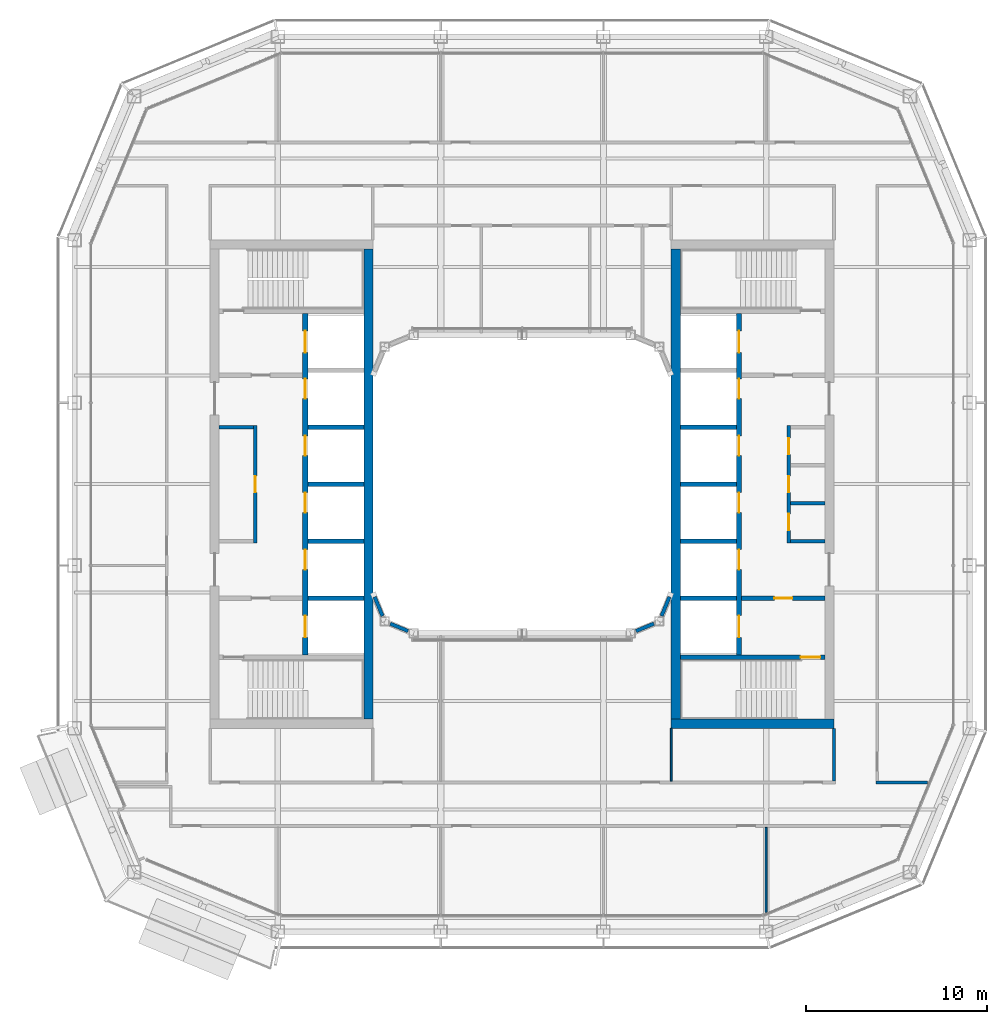
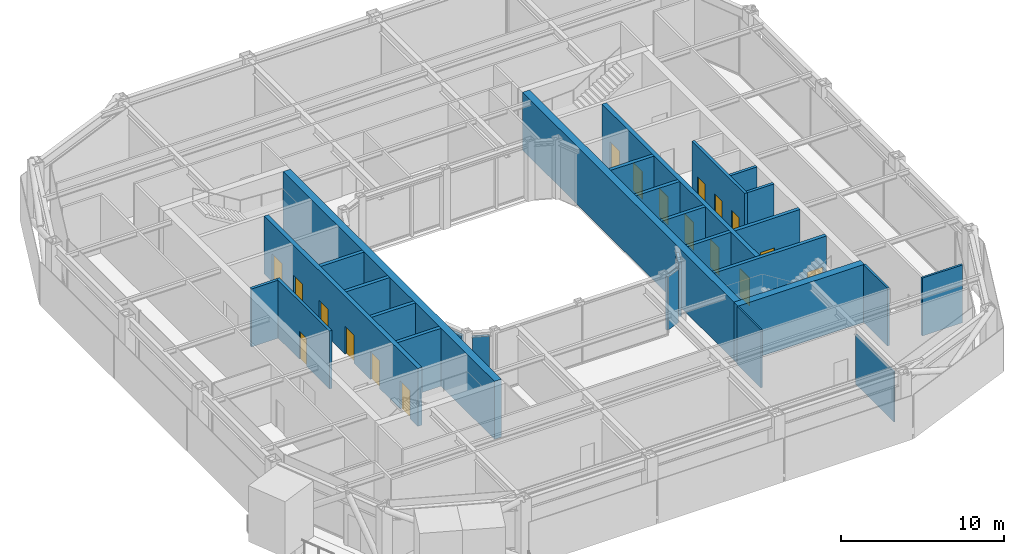
# One storey, part 11 of 20: 28 walls, 18 doors, 18 openings.
"""IFC4 building model written with IfcOpenShell, lengths in metres."""

import ifcopenshell
import ifcopenshell.guid

model = None  # the IFC model being written
_history = None  # IfcOwnerHistory: only IFC2X3 demands one
_inside = {}  # id of a spatial element -> (the spatial element, [elements in it])
_under = {}  # id of a project, library or spatial element -> (it, [spatial elements below it])
_declared = {}  # id of a project -> (the project, [libraries it declares])
_typed = {}  # id of a type object -> (the type object, [elements of that type])
_made_of = {}  # id of a material, layer set ... -> (it, [elements and type objects made of it])


def new_model(schema):
    """Start an empty IFC model of exactly this schema.

    Asked for "IFC4X3", IfcOpenShell would pick the latest addendum, in which some entities
    have other attributes; the version numbers below select the first issue.
    IFC2X3 requires an IfcOwnerHistory on every rooted entity: one is made here for all.
    """
    global model, _history
    if schema == "IFC4X3":
        model = ifcopenshell.file(schema_version=(4, 3, 0, 0))
    else:
        model = ifcopenshell.file(schema=schema)
    _inside.clear()
    _under.clear()
    _declared.clear()
    _typed.clear()
    _made_of.clear()
    _history = None
    if model.schema == "IFC2X3":
        org = make("IfcOrganization", Name="unknown")
        user = make(
            "IfcPersonAndOrganization",
            ThePerson=make("IfcPerson", FamilyName="unknown"),
            TheOrganization=org,
        )
        app = make(
            "IfcApplication",
            ApplicationDeveloper=org,
            Version="unknown",
            ApplicationFullName="unknown",
            ApplicationIdentifier="unknown",
        )
        _history = make(
            "IfcOwnerHistory",
            OwningUser=user,
            OwningApplication=app,
            ChangeAction="ADDED",
            CreationDate=0,
        )
    return model


def make(cls, **values):
    """One entity of the class cls with the attributes given. An attribute that is None is left unset."""
    return model.create_entity(
        cls, **{name: value for name, value in values.items() if value is not None}
    )


def rooted(cls, **values):
    """An entity with a GlobalId (a new one), such as an element, a storey or a relation."""
    return make(cls, GlobalId=ifcopenshell.guid.new(), OwnerHistory=_history, **values)


def si_unit(unit_type, name, prefix=None):
    """IfcSIUnit, for example si_unit("LENGTHUNIT", "METRE", prefix="MILLI")."""
    return make("IfcSIUnit", UnitType=unit_type, Prefix=prefix, Name=name)


def assignment(units):
    """IfcUnitAssignment: the units of a project."""
    return None if units is None else make("IfcUnitAssignment", Units=units)


def point(xyz):
    """IfcCartesianPoint."""
    return None if xyz is None else make("IfcCartesianPoint", Coordinates=xyz)


def direction(xyz):
    """IfcDirection."""
    return None if xyz is None else make("IfcDirection", DirectionRatios=xyz)


def frame(location, z_axis=None, x_axis=None):
    """IfcAxis2Placement3D, a coordinate frame: its origin and axes. An axis left out is left unset."""
    return make(
        "IfcAxis2Placement3D",
        Location=point(location),
        Axis=direction(z_axis),
        RefDirection=direction(x_axis),
    )


def frame_2d(location, x_axis=None):
    """IfcAxis2Placement2D, a coordinate frame in the plane: its origin and x axis."""
    return make(
        "IfcAxis2Placement2D", Location=point(location), RefDirection=direction(x_axis)
    )


def origin():
    """The frame at (0, 0, 0) with its axes left unset."""
    return frame((0.0, 0.0, 0.0))


def place(relative_to, where):
    """IfcLocalPlacement: puts the frame where relative to a parent placement (None: the world)."""
    return make(
        "IfcLocalPlacement", PlacementRelTo=relative_to, RelativePlacement=where
    )


def context(
    kind, dimensions, precision=None, world=None, true_north=None, identifier=None
):
    """IfcGeometricRepresentationContext, for example the 3D "Model" context."""
    return make(
        "IfcGeometricRepresentationContext",
        ContextIdentifier=identifier,
        ContextType=kind,
        CoordinateSpaceDimension=dimensions,
        Precision=precision,
        WorldCoordinateSystem=world,
        TrueNorth=true_north,
    )


def subcontext(parent, identifier, kind, view, scale=None):
    """IfcGeometricRepresentationSubContext, for example "Body" below "Model"."""
    return make(
        "IfcGeometricRepresentationSubContext",
        ContextIdentifier=identifier,
        ContextType=kind,
        ParentContext=parent,
        TargetScale=scale,
        TargetView=view,
    )


def project(units=None, contexts=None):
    """IfcProject with its units and contexts."""
    return rooted(
        "IfcProject",
        Name="project",
        RepresentationContexts=contexts,
        UnitsInContext=assignment(units),
    )


def spatial(cls, under=None, at=None, **own):
    """A site, building, storey or space (cls), placed at a placement, below another one or the project."""
    s = rooted(cls, ObjectPlacement=at, **own)
    if under is not None:
        _under.setdefault(under.id(), (under, []))[1].append(s)
    return s


def profile(cls, at=None, kind="AREA", **sizes):
    """A parametric profile (cls). Its sizes go by their IFC names, for example OverallWidth=200.0."""
    return make(cls, ProfileType=kind, Position=at, **sizes)


def rectangle(**sizes):
    """IfcRectangleProfileDef."""
    return profile("IfcRectangleProfileDef", **sizes)


def extrude(swept, where, along, depth):
    """IfcExtrudedAreaSolid: the profile swept, set in the frame where, extruded along a direction by depth."""
    return make(
        "IfcExtrudedAreaSolid",
        SweptArea=swept,
        Position=where,
        ExtrudedDirection=direction(along),
        Depth=depth,
    )


def shape(context_of_items, identifier, shape_type, items):
    """IfcShapeRepresentation: the items that make up one representation, for example the "Body"."""
    return make(
        "IfcShapeRepresentation",
        ContextOfItems=context_of_items,
        RepresentationIdentifier=identifier,
        RepresentationType=shape_type,
        Items=items,
    )


def material(Name=None, Category=None):
    """IfcMaterial."""
    return make("IfcMaterial", Name=Name, Category=Category)


def layer(
    of_material, thickness, ventilated=None, Name=None, Category=None, Priority=None
):
    """IfcMaterialLayer: one layer of a wall or slab, of a material (None: an air gap)."""
    return make(
        "IfcMaterialLayer",
        Material=of_material,
        LayerThickness=thickness,
        IsVentilated=ventilated,
        Name=Name,
        Category=Category,
        Priority=Priority,
    )


def layer_set(layers, Name=None):
    """IfcMaterialLayerSet."""
    return make("IfcMaterialLayerSet", MaterialLayers=layers, LayerSetName=Name)


def made_of(thing, what):
    """Note that an element or type object is made of a material, layer set ...; save() writes the relation."""
    if what is not None:
        _made_of.setdefault(what.id(), (what, []))[1].append(thing)
    return thing


def type_object(cls, material=None, **own):
    """A type object (cls), such as IfcWallType, which elements share."""
    return made_of(rooted(cls, **own), material)


def element(
    cls,
    number,
    at=None,
    inside=None,
    cuts=None,
    type_object=None,
    material=None,
    context=None,
    identifier="Body",
    shape_type=None,
    held_by="IfcProductDefinitionShape",
    body=None,
    shapes=None,
    **own,
):
    """One element of the class cls, such as IfcWall. Its Tag is "e" and its number.

    at: its placement. inside: the storey or other place that contains it. cuts: it is an
    opening in that element (IfcRelVoidsElement). A single representation is given by context,
    identifier, shape_type and body (its items); several are given by shapes. held_by: the class
    of the entity that holds the representations. save() writes the other relations.
    """
    e = rooted(cls, Tag="e%d" % number, ObjectPlacement=at, **own)
    if body is not None:
        shapes = [shape(context, identifier, shape_type, body)]
    if shapes is not None:
        e.Representation = make(held_by, Representations=shapes)
    if inside is not None:
        _inside.setdefault(inside.id(), (inside, []))[1].append(e)
    if cuts is not None:
        rooted(
            "IfcRelVoidsElement", RelatingBuildingElement=cuts, RelatedOpeningElement=e
        )
    if type_object is not None:
        _typed.setdefault(type_object.id(), (type_object, []))[1].append(e)
    return made_of(e, material)


def fill(opening, filler):
    """IfcRelFillsElement: the door or window that sits in an opening."""
    return rooted(
        "IfcRelFillsElement",
        RelatingOpeningElement=opening,
        RelatedBuildingElement=filler,
    )


def aggregate(whole, parts):
    """IfcRelAggregates: a whole, such as a stair, and the parts it consists of."""
    return rooted("IfcRelAggregates", RelatingObject=whole, RelatedObjects=parts)


def save(model, path):
    """Write the relations noted so far, then the file.

    IfcRelAggregates (storeys below a building ...), IfcRelContainedInSpatialStructure (elements
    in a storey), IfcRelDefinesByType, IfcRelAssociatesMaterial and IfcRelDeclares: one each for
    every whole, place, type object, material and project.
    """
    for whole, parts in _under.values():
        aggregate(whole, parts)
    for where, things in _inside.values():
        rooted(
            "IfcRelContainedInSpatialStructure",
            RelatedElements=things,
            RelatingStructure=where,
        )
    for kind, things in _typed.values():
        rooted("IfcRelDefinesByType", RelatedObjects=things, RelatingType=kind)
    for what, things in _made_of.values():
        rooted("IfcRelAssociatesMaterial", RelatedObjects=things, RelatingMaterial=what)
    for by, libraries in _declared.values():
        rooted("IfcRelDeclares", RelatingContext=by, RelatedDefinitions=libraries)
    model.write(path)


model = new_model("IFC4")

# Units and contexts
model_context = context("Model", 3, precision=1e-05, world=origin(), true_north=direction((0.0, 1.0)))
body_context = subcontext(model_context, "Body", "Model", "MODEL_VIEW")
ifc_project = project(units=[si_unit("LENGTHUNIT", "METRE"), si_unit("AREAUNIT", "SQUARE_METRE"), si_unit("VOLUMEUNIT", "CUBIC_METRE"), si_unit("PLANEANGLEUNIT", "RADIAN"), si_unit("MASSUNIT", "GRAM", prefix="KILO")], contexts=[model_context])

# Site, building, storey
site_placement = place(None, origin())
site = spatial("IfcSite", under=ifc_project, at=site_placement, CompositionType="ELEMENT")
building_placement = place(site_placement, origin())
building = spatial("IfcBuilding", under=site, at=building_placement, Name="Siwar Civic Tower", CompositionType="ELEMENT")
storey_placement = place(building_placement, frame((0.0, 0.0, 316.699951171875)))
storey = spatial("IfcBuildingStorey", under=building, at=storey_placement, Name="L68", CompositionType="ELEMENT", Elevation=316.699951171875)

# Wall, opening, door
ifc_material_1 = material(Name="Gypsum board on steel studs", Category="steel")
ifc_layer_1 = layer(ifc_material_1, 0.199951171875)
ifc_layer_set_1 = layer_set([ifc_layer_1], Name="Gypsum board on steel studs")
wall_type_1 = type_object("IfcWallType", Name="CORE-PARTITION-200", PredefinedType="PARTITIONING", material=ifc_layer_set_1)
wall_1_placement = place(storey_placement, frame((-14.75, -3.25, 0.0), z_axis=(0.0, 0.0, 1.0), x_axis=(0.0, 1.0, 0.0)))
wall_1 = element("IfcWall", 1, at=wall_1_placement, inside=storey, type_object=wall_type_1, Name="Core partition W", PredefinedType="PARTITIONING", context=body_context, shape_type="SweptSolid", body=[
    extrude(rectangle(XDim=6.5, YDim=0.199951171875, at=frame_2d((3.25, 0.0))), origin(), (0.0, 0.0, 1.0), 4.35009765625),
])
opening_1_placement = place(wall_1_placement, frame((2.800048828125, 0.0, 0.0)))
opening_1 = element("IfcOpeningElement", 2, at=opening_1_placement, cuts=wall_1, Name="Opening L68-CW13", PredefinedType="OPENING", context=body_context, shape_type="SweptSolid", body=[
    extrude(rectangle(XDim=0.89990234375, YDim=2.10009765625, at=frame_2d((0.449951171875, 1.050048828125))), frame((0.0, 0.10986328125, 0.0), z_axis=(0.0, -1.0, 0.0), x_axis=(1.0, 0.0, 0.0)), (0.0, 0.0, 1.0), 0.219970703125),
])
ifc_material_2 = material(Name="Steel door leaf", Category="steel")
door_type_1 = type_object("IfcDoorType", Name="CORE-DOOR-ROOM", OperationType="SINGLE_SWING_LEFT", PredefinedType="DOOR", material=ifc_material_2)
door_1_placement = place(opening_1_placement, origin())
door_1 = element("IfcDoor", 3, at=door_1_placement, inside=storey, type_object=door_type_1, Name="Core room door L68-CW13", OperationType="SINGLE_SWING_RIGHT", OverallHeight=2.10009765625, OverallWidth=0.89990234375, PredefinedType="DOOR", context=body_context, shape_type="SweptSolid", body=[
    extrude(rectangle(XDim=0.89990234375, YDim=2.10009765625, at=frame_2d((0.449951171875, 1.050048828125))), frame((0.0, 0.02490234375, 0.0), z_axis=(0.0, -1.0, 0.0), x_axis=(1.0, 0.0, 0.0)), (0.0, 0.0, 1.0), 0.050048828125),
])
fill(opening_1, door_1)

# Wall
wall_2_placement = place(storey_placement, frame((-14.85009765625, 3.14990234375, 0.0), z_axis=(0.0, 0.0, 1.0), x_axis=(-1.0, 0.0, 0.0)))
element("IfcWall", 4, at=wall_2_placement, inside=storey, type_object=wall_type_1, Name="Core partition W", PredefinedType="PARTITIONING", context=body_context, shape_type="SweptSolid", body=[
    extrude(rectangle(XDim=1.89990234375, YDim=0.199951171875, at=frame_2d((0.949951171875, 0.0))), origin(), (0.0, 0.0, 1.0), 4.35009765625),
])

# Wall, openings, doors
wall_3_placement = place(storey_placement, frame((14.75, -3.25, 0.0), z_axis=(0.0, 0.0, 1.0), x_axis=(0.0, 1.0, 0.0)))
wall_3 = element("IfcWall", 5, at=wall_3_placement, inside=storey, type_object=wall_type_1, Name="Core partition E", PredefinedType="PARTITIONING", context=body_context, shape_type="SweptSolid", body=[
    extrude(rectangle(XDim=6.5, YDim=0.199951171875, at=frame_2d((3.25, 0.0))), origin(), (0.0, 0.0, 1.0), 4.35009765625),
])
opening_2_placement = place(wall_3_placement, frame((0.699951171875, 0.0, 0.0)))
opening_2 = element("IfcOpeningElement", 6, at=opening_2_placement, cuts=wall_3, Name="Opening L68-CE13", PredefinedType="OPENING", context=body_context, shape_type="SweptSolid", body=[
    extrude(rectangle(XDim=0.89990234375, YDim=2.10009765625, at=frame_2d((0.449951171875, 1.050048828125))), frame((0.0, 0.10986328125, 0.0), z_axis=(0.0, -1.0, 0.0), x_axis=(1.0, 0.0, 0.0)), (0.0, 0.0, 1.0), 0.219970703125),
])
opening_3_placement = place(wall_3_placement, frame((2.800048828125, 0.0, 0.0)))
opening_3 = element("IfcOpeningElement", 7, at=opening_3_placement, cuts=wall_3, Name="Opening L68-CE14", PredefinedType="OPENING", context=body_context, shape_type="SweptSolid", body=[
    extrude(rectangle(XDim=0.89990234375, YDim=2.10009765625, at=frame_2d((0.449951171875, 1.050048828125))), frame((0.0, 0.10986328125, 0.0), z_axis=(0.0, -1.0, 0.0), x_axis=(1.0, 0.0, 0.0)), (0.0, 0.0, 1.0), 0.219970703125),
])
opening_4_placement = place(wall_3_placement, frame((4.89990234375, 0.0, 0.0)))
opening_4 = element("IfcOpeningElement", 8, at=opening_4_placement, cuts=wall_3, Name="Opening L68-CE15", PredefinedType="OPENING", context=body_context, shape_type="SweptSolid", body=[
    extrude(rectangle(XDim=0.89990234375, YDim=2.10009765625, at=frame_2d((0.449951171875, 1.050048828125))), frame((0.0, 0.10986328125, 0.0), z_axis=(0.0, -1.0, 0.0), x_axis=(1.0, 0.0, 0.0)), (0.0, 0.0, 1.0), 0.219970703125),
])
door_2_placement = place(opening_2_placement, origin())
door_2 = element("IfcDoor", 9, at=door_2_placement, inside=storey, type_object=door_type_1, Name="Core room door L68-CE13", OperationType="SINGLE_SWING_LEFT", OverallHeight=2.10009765625, OverallWidth=0.89990234375, PredefinedType="DOOR", context=body_context, shape_type="SweptSolid", body=[
    extrude(rectangle(XDim=0.89990234375, YDim=2.10009765625, at=frame_2d((0.449951171875, 1.050048828125))), frame((0.0, 0.02490234375, 0.0), z_axis=(0.0, -1.0, 0.0), x_axis=(1.0, 0.0, 0.0)), (0.0, 0.0, 1.0), 0.050048828125),
])
fill(opening_2, door_2)
door_3_placement = place(opening_3_placement, origin())
door_3 = element("IfcDoor", 10, at=door_3_placement, inside=storey, type_object=door_type_1, Name="Core room door L68-CE14", OperationType="SINGLE_SWING_LEFT", OverallHeight=2.10009765625, OverallWidth=0.89990234375, PredefinedType="DOOR", context=body_context, shape_type="SweptSolid", body=[
    extrude(rectangle(XDim=0.89990234375, YDim=2.10009765625, at=frame_2d((0.449951171875, 1.050048828125))), frame((0.0, 0.02490234375, 0.0), z_axis=(0.0, -1.0, 0.0), x_axis=(1.0, 0.0, 0.0)), (0.0, 0.0, 1.0), 0.050048828125),
])
fill(opening_3, door_3)
door_4_placement = place(opening_4_placement, origin())
door_4 = element("IfcDoor", 11, at=door_4_placement, inside=storey, type_object=door_type_1, Name="Core room door L68-CE15", OperationType="SINGLE_SWING_LEFT", OverallHeight=2.10009765625, OverallWidth=0.89990234375, PredefinedType="DOOR", context=body_context, shape_type="SweptSolid", body=[
    extrude(rectangle(XDim=0.89990234375, YDim=2.10009765625, at=frame_2d((0.449951171875, 1.050048828125))), frame((0.0, 0.02490234375, 0.0), z_axis=(0.0, -1.0, 0.0), x_axis=(1.0, 0.0, 0.0)), (0.0, 0.0, 1.0), 0.050048828125),
])
fill(opening_4, door_4)

# Walls
for number, where, z_axis, x_axis, name in (
    (12, (14.85009765625, -3.14990234375, 0.0), (0.0, 0.0, 1.0), (1.0, 0.0, 0.0), "Core partition E"),
    (13, (14.85009765625, -1.050048828125, 0.0), (0.0, 0.0, 1.0), (1.0, 0.0, 0.0), "Core partition E"),
):
    element("IfcWall", number, at=place(storey_placement, frame(where, z_axis=z_axis, x_axis=x_axis)), inside=storey, type_object=wall_type_1, Name=name, PredefinedType="PARTITIONING", context=body_context, shape_type="SweptSolid", body=[
        extrude(rectangle(XDim=1.89990234375, YDim=0.199951171875, at=frame_2d((0.949951171875, 0.0))), origin(), (0.0, 0.0, 1.0), 4.35009765625),
    ])
ifc_material_3 = material(Name="Concrete C60/75", Category="concrete")
ifc_layer_2 = layer(ifc_material_3, 0.25)
ifc_layer_set_2 = layer_set([ifc_layer_2], Name="Concrete C60/75")
wall_type_2 = type_object("IfcWallType", Name="CORE-WALL-RC250", PredefinedType="SHEAR", material=ifc_layer_set_2)
for number, where, z_axis, x_axis, name in (
    (14, (-8.75, 0.0, 0.0), (0.0, 0.0, 1.0), (-1.0, 0.0, 0.0), "Core wall W"),
    (15, (-8.75, 3.14990234375, 0.0), (0.0, 0.0, 1.0), (-1.0, 0.0, 0.0), "Core wall W"),
    (16, (-8.75, -3.14990234375, 0.0), (0.0, 0.0, 1.0), (-1.0, 0.0, 0.0), "Core wall W"),
    (17, (-8.75, -6.300048828125, 0.0), (0.0, 0.0, 1.0), (-1.0, 0.0, 0.0), "Core wall W"),
):
    element("IfcWall", number, at=place(storey_placement, frame(where, z_axis=z_axis, x_axis=x_axis)), inside=storey, type_object=wall_type_2, Name=name, PredefinedType="SHEAR", context=body_context, shape_type="SweptSolid", body=[
        extrude(rectangle(XDim=3.10009765625, YDim=0.25, at=frame_2d((1.550048828125, 0.0))), origin(), (0.0, 0.0, 1.0), 4.35009765625),
    ])

# Wall, opening, door
wall_4_placement = place(storey_placement, frame((12.14990234375, -6.300048828125, 0.0), z_axis=(0.0, 0.0, 1.0), x_axis=(1.0, 0.0, 0.0)))
wall_4 = element("IfcWall", 18, at=wall_4_placement, inside=storey, type_object=wall_type_2, Name="Core wall E", PredefinedType="SHEAR", context=body_context, shape_type="SweptSolid", body=[
    extrude(rectangle(XDim=4.60009765625, YDim=0.25, at=frame_2d((2.300048828125, 0.0))), origin(), (0.0, 0.0, 1.0), 4.35009765625),
])
opening_5_placement = place(wall_4_placement, frame((1.800048828125, 0.0, 0.0)))
opening_5 = element("IfcOpeningElement", 19, at=opening_5_placement, cuts=wall_4, Name="Opening L68-CE02", PredefinedType="OPENING", context=body_context, shape_type="SweptSolid", body=[
    extrude(rectangle(XDim=1.0, YDim=2.10009765625, at=frame_2d((0.5, 1.050048828125))), frame((0.0, 0.135009765625, 0.0), z_axis=(0.0, -1.0, 0.0), x_axis=(1.0, 0.0, 0.0)), (0.0, 0.0, 1.0), 0.27001953125),
])
ifc_material_4 = material(Name="Steel door leaf", Category="steel")
door_type_2 = type_object("IfcDoorType", Name="CORE-DOOR-FD30S", OperationType="SINGLE_SWING_LEFT", PredefinedType="DOOR", material=ifc_material_4)
door_5_placement = place(opening_5_placement, origin())
door_5 = element("IfcDoor", 20, at=door_5_placement, inside=storey, type_object=door_type_2, Name="Service lobby door L68-CE02", OperationType="SINGLE_SWING_LEFT", OverallHeight=2.10009765625, OverallWidth=1.0, PredefinedType="DOOR", context=body_context, shape_type="SweptSolid", body=[
    extrude(rectangle(XDim=1.0, YDim=2.10009765625, at=frame_2d((0.5, 1.050048828125))), frame((0.0, 0.02490234375, 0.0), z_axis=(0.0, -1.0, 0.0), x_axis=(1.0, 0.0, 0.0)), (0.0, 0.0, 1.0), 0.050048828125),
])
fill(opening_5, door_5)

# Walls
for number, where, z_axis, x_axis, name in (
    (21, (8.75, 0.0, 0.0), (0.0, 0.0, 1.0), (1.0, 0.0, 0.0), "Core wall E"),
    (22, (8.75, 3.14990234375, 0.0), (0.0, 0.0, 1.0), (1.0, 0.0, 0.0), "Core wall E"),
    (23, (8.75, -3.14990234375, 0.0), (0.0, 0.0, 1.0), (1.0, 0.0, 0.0), "Core wall E"),
    (24, (8.75, -6.300048828125, 0.0), (0.0, 0.0, 1.0), (1.0, 0.0, 0.0), "Core wall E"),
):
    element("IfcWall", number, at=place(storey_placement, frame(where, z_axis=z_axis, x_axis=x_axis)), inside=storey, type_object=wall_type_2, Name=name, PredefinedType="SHEAR", context=body_context, shape_type="SweptSolid", body=[
        extrude(rectangle(XDim=3.10009765625, YDim=0.25, at=frame_2d((1.550048828125, 0.0))), origin(), (0.0, 0.0, 1.0), 4.35009765625),
    ])

# Wall, opening, door
wall_5_placement = place(storey_placement, frame((8.75, -9.574951171875, 0.0), z_axis=(0.0, 0.0, 1.0), x_axis=(1.0, 0.0, 0.0)))
wall_5 = element("IfcWall", 25, at=wall_5_placement, inside=storey, type_object=wall_type_2, Name="Core wall E", PredefinedType="SHEAR", context=body_context, shape_type="SweptSolid", body=[
    extrude(rectangle(XDim=8.0, YDim=0.25, at=frame_2d((4.0, 0.0))), origin(), (0.0, 0.0, 1.0), 4.35009765625),
])
opening_6_placement = place(wall_5_placement, frame((6.64990234375, 0.0, 0.0)))
opening_6 = element("IfcOpeningElement", 26, at=opening_6_placement, cuts=wall_5, Name="Opening L68-CE04", PredefinedType="OPENING", context=body_context, shape_type="SweptSolid", body=[
    extrude(rectangle(XDim=1.10009765625, YDim=2.10009765625, at=frame_2d((0.550048828125, 1.050048828125))), frame((0.0, 0.135009765625, 0.0), z_axis=(0.0, -1.0, 0.0), x_axis=(1.0, 0.0, 0.0)), (0.0, 0.0, 1.0), 0.27001953125),
])
ifc_material_5 = material(Name="Steel door leaf", Category="steel")
door_type_3 = type_object("IfcDoorType", Name="CORE-DOOR-FD60S", OperationType="SINGLE_SWING_LEFT", PredefinedType="DOOR", material=ifc_material_5)
door_6_placement = place(opening_6_placement, origin())
door_6 = element("IfcDoor", 27, at=door_6_placement, inside=storey, type_object=door_type_3, Name="Stair door L68-CE04", OperationType="SINGLE_SWING_RIGHT", OverallHeight=2.10009765625, OverallWidth=1.10009765625, PredefinedType="DOOR", context=body_context, shape_type="SweptSolid", body=[
    extrude(rectangle(XDim=1.10009765625, YDim=2.10009765625, at=frame_2d((0.550048828125, 1.050048828125))), frame((0.0, 0.02490234375, 0.0), z_axis=(0.0, -1.0, 0.0), x_axis=(1.0, 0.0, 0.0)), (0.0, 0.0, 1.0), 0.050048828125),
])
fill(opening_6, door_6)

# Wall, openings, doors
ifc_material_6 = material(Name="Concrete C60/75", Category="concrete")
ifc_layer_3 = layer(ifc_material_6, 0.300048828125)
ifc_layer_set_3 = layer_set([ifc_layer_3], Name="Concrete C60/75")
wall_type_3 = type_object("IfcWallType", Name="CORE-WALL-RC300", PredefinedType="SHEAR", material=ifc_layer_set_3)
wall_6_placement = place(storey_placement, frame((-12.0, -9.449951171875, 0.0), z_axis=(0.0, 0.0, 1.0), x_axis=(0.0, 1.0, 0.0)))
wall_6 = element("IfcWall", 28, at=wall_6_placement, inside=storey, type_object=wall_type_3, Name="Core wall W", PredefinedType="SHEAR", context=body_context, shape_type="SweptSolid", body=[
    extrude(rectangle(XDim=18.89990234375, YDim=0.300048828125, at=frame_2d((9.449951171875, 0.0))), origin(), (0.0, 0.0, 1.0), 4.35009765625),
])
opening_7_placement = place(wall_6_placement, frame((4.72509765625, 0.0, 0.0)))
opening_7 = element("IfcOpeningElement", 29, at=opening_7_placement, cuts=wall_6, Name="Opening L68-CW07", PredefinedType="OPENING", context=body_context, shape_type="SweptSolid", body=[
    extrude(rectangle(XDim=1.10009765625, YDim=2.10009765625, at=frame_2d((0.550048828125, 1.050048828125))), frame((0.0, 0.16015625, 0.0), z_axis=(0.0, -1.0, 0.0), x_axis=(1.0, 0.0, 0.0)), (0.0, 0.0, 1.0), 0.320068359375),
])
opening_8_placement = place(wall_6_placement, frame((7.875, 0.0, 0.0)))
opening_8 = element("IfcOpeningElement", 30, at=opening_8_placement, cuts=wall_6, Name="Opening L68-CW08", PredefinedType="OPENING", context=body_context, shape_type="SweptSolid", body=[
    extrude(rectangle(XDim=1.10009765625, YDim=2.10009765625, at=frame_2d((0.550048828125, 1.050048828125))), frame((0.0, 0.16015625, 0.0), z_axis=(0.0, -1.0, 0.0), x_axis=(1.0, 0.0, 0.0)), (0.0, 0.0, 1.0), 0.320068359375),
])
opening_9_placement = place(wall_6_placement, frame((11.02490234375, 0.0, 0.0)))
opening_9 = element("IfcOpeningElement", 31, at=opening_9_placement, cuts=wall_6, Name="Opening L68-CW09", PredefinedType="OPENING", context=body_context, shape_type="SweptSolid", body=[
    extrude(rectangle(XDim=1.10009765625, YDim=2.10009765625, at=frame_2d((0.550048828125, 1.050048828125))), frame((0.0, 0.16015625, 0.0), z_axis=(0.0, -1.0, 0.0), x_axis=(1.0, 0.0, 0.0)), (0.0, 0.0, 1.0), 0.320068359375),
])
opening_10_placement = place(wall_6_placement, frame((14.175048828125, 0.0, 0.0)))
opening_10 = element("IfcOpeningElement", 32, at=opening_10_placement, cuts=wall_6, Name="Opening L68-CW10", PredefinedType="OPENING", context=body_context, shape_type="SweptSolid", body=[
    extrude(rectangle(XDim=1.10009765625, YDim=2.10009765625, at=frame_2d((0.550048828125, 1.050048828125))), frame((0.0, 0.16015625, 0.0), z_axis=(0.0, -1.0, 0.0), x_axis=(1.0, 0.0, 0.0)), (0.0, 0.0, 1.0), 0.320068359375),
])
opening_11_placement = place(wall_6_placement, frame((16.72509765625, 0.0, 0.0)))
opening_11 = element("IfcOpeningElement", 33, at=opening_11_placement, cuts=wall_6, Name="Opening L68-CW11", PredefinedType="OPENING", context=body_context, shape_type="SweptSolid", body=[
    extrude(rectangle(XDim=1.199951171875, YDim=2.10009765625, at=frame_2d((0.60009765625, 1.050048828125))), frame((0.0, 0.16015625, 0.0), z_axis=(0.0, -1.0, 0.0), x_axis=(1.0, 0.0, 0.0)), (0.0, 0.0, 1.0), 0.320068359375),
])
opening_12_placement = place(wall_6_placement, frame((0.97509765625, 0.0, 0.0)))
opening_12 = element("IfcOpeningElement", 34, at=opening_12_placement, cuts=wall_6, Name="Opening L68-CW12", PredefinedType="OPENING", context=body_context, shape_type="SweptSolid", body=[
    extrude(rectangle(XDim=1.199951171875, YDim=2.10009765625, at=frame_2d((0.60009765625, 1.050048828125))), frame((0.0, 0.16015625, 0.0), z_axis=(0.0, -1.0, 0.0), x_axis=(1.0, 0.0, 0.0)), (0.0, 0.0, 1.0), 0.320068359375),
])
ifc_material_7 = material(Name="Steel door leaf", Category="steel")
door_type_4 = type_object("IfcDoorType", Name="CORE-DOOR-LD", OperationType="DOUBLE_DOOR_SLIDING", PredefinedType="DOOR", material=ifc_material_7)
door_7_placement = place(opening_7_placement, origin())
door_7 = element("IfcDoor", 35, at=door_7_placement, inside=storey, type_object=door_type_4, Name="Landing door HR1 L68-CW07", OperationType="DOUBLE_DOOR_SLIDING", OverallHeight=2.10009765625, OverallWidth=1.10009765625, PredefinedType="DOOR", context=body_context, shape_type="SweptSolid", body=[
    extrude(rectangle(XDim=1.10009765625, YDim=2.10009765625, at=frame_2d((0.550048828125, 1.050048828125))), frame((0.0, 0.02490234375, 0.0), z_axis=(0.0, -1.0, 0.0), x_axis=(1.0, 0.0, 0.0)), (0.0, 0.0, 1.0), 0.050048828125),
])
fill(opening_7, door_7)
door_8_placement = place(opening_8_placement, origin())
door_8 = element("IfcDoor", 36, at=door_8_placement, inside=storey, type_object=door_type_4, Name="Landing door HR2 L68-CW08", OperationType="DOUBLE_DOOR_SLIDING", OverallHeight=2.10009765625, OverallWidth=1.10009765625, PredefinedType="DOOR", context=body_context, shape_type="SweptSolid", body=[
    extrude(rectangle(XDim=1.10009765625, YDim=2.10009765625, at=frame_2d((0.550048828125, 1.050048828125))), frame((0.0, 0.02490234375, 0.0), z_axis=(0.0, -1.0, 0.0), x_axis=(1.0, 0.0, 0.0)), (0.0, 0.0, 1.0), 0.050048828125),
])
fill(opening_8, door_8)
door_9_placement = place(opening_9_placement, origin())
door_9 = element("IfcDoor", 37, at=door_9_placement, inside=storey, type_object=door_type_4, Name="Landing door HR3 L68-CW09", OperationType="DOUBLE_DOOR_SLIDING", OverallHeight=2.10009765625, OverallWidth=1.10009765625, PredefinedType="DOOR", context=body_context, shape_type="SweptSolid", body=[
    extrude(rectangle(XDim=1.10009765625, YDim=2.10009765625, at=frame_2d((0.550048828125, 1.050048828125))), frame((0.0, 0.02490234375, 0.0), z_axis=(0.0, -1.0, 0.0), x_axis=(1.0, 0.0, 0.0)), (0.0, 0.0, 1.0), 0.050048828125),
])
fill(opening_9, door_9)
door_10_placement = place(opening_10_placement, origin())
door_10 = element("IfcDoor", 38, at=door_10_placement, inside=storey, type_object=door_type_4, Name="Landing door HR4 L68-CW10", OperationType="DOUBLE_DOOR_SLIDING", OverallHeight=2.10009765625, OverallWidth=1.10009765625, PredefinedType="DOOR", context=body_context, shape_type="SweptSolid", body=[
    extrude(rectangle(XDim=1.10009765625, YDim=2.10009765625, at=frame_2d((0.550048828125, 1.050048828125))), frame((0.0, 0.02490234375, 0.0), z_axis=(0.0, -1.0, 0.0), x_axis=(1.0, 0.0, 0.0)), (0.0, 0.0, 1.0), 0.050048828125),
])
fill(opening_10, door_10)
ifc_material_8 = material(Name="Steel door leaf", Category="steel")
door_type_5 = type_object("IfcDoorType", Name="CORE-DOOR-LDW", OperationType="DOUBLE_DOOR_SLIDING", PredefinedType="DOOR", material=ifc_material_8)
door_11_placement = place(opening_11_placement, origin())
door_11 = element("IfcDoor", 39, at=door_11_placement, inside=storey, type_object=door_type_5, Name="Landing door FF1 L68-CW11", OperationType="DOUBLE_DOOR_SLIDING", OverallHeight=2.10009765625, OverallWidth=1.199951171875, PredefinedType="DOOR", context=body_context, shape_type="SweptSolid", body=[
    extrude(rectangle(XDim=1.199951171875, YDim=2.10009765625, at=frame_2d((0.60009765625, 1.050048828125))), frame((0.0, 0.02490234375, 0.0), z_axis=(0.0, -1.0, 0.0), x_axis=(1.0, 0.0, 0.0)), (0.0, 0.0, 1.0), 0.050048828125),
])
fill(opening_11, door_11)
door_12_placement = place(opening_12_placement, origin())
door_12 = element("IfcDoor", 40, at=door_12_placement, inside=storey, type_object=door_type_5, Name="Landing door SV1 L68-CW12", OperationType="DOUBLE_DOOR_SLIDING", OverallHeight=2.10009765625, OverallWidth=1.199951171875, PredefinedType="DOOR", context=body_context, shape_type="SweptSolid", body=[
    extrude(rectangle(XDim=1.199951171875, YDim=2.10009765625, at=frame_2d((0.60009765625, 1.050048828125))), frame((0.0, 0.02490234375, 0.0), z_axis=(0.0, -1.0, 0.0), x_axis=(1.0, 0.0, 0.0)), (0.0, 0.0, 1.0), 0.050048828125),
])
fill(opening_12, door_12)

wall_7_placement = place(storey_placement, frame((12.0, -9.449951171875, 0.0), z_axis=(0.0, 0.0, 1.0), x_axis=(0.0, 1.0, 0.0)))
wall_7 = element("IfcWall", 41, at=wall_7_placement, inside=storey, type_object=wall_type_3, Name="Core wall E", PredefinedType="SHEAR", context=body_context, shape_type="SweptSolid", body=[
    extrude(rectangle(XDim=18.89990234375, YDim=0.300048828125, at=frame_2d((9.449951171875, 0.0))), origin(), (0.0, 0.0, 1.0), 4.35009765625),
])
opening_13_placement = place(wall_7_placement, frame((4.72509765625, 0.0, 0.0)))
opening_13 = element("IfcOpeningElement", 42, at=opening_13_placement, cuts=wall_7, Name="Opening L68-CE07", PredefinedType="OPENING", context=body_context, shape_type="SweptSolid", body=[
    extrude(rectangle(XDim=1.10009765625, YDim=2.10009765625, at=frame_2d((0.550048828125, 1.050048828125))), frame((0.0, 0.16015625, 0.0), z_axis=(0.0, -1.0, 0.0), x_axis=(1.0, 0.0, 0.0)), (0.0, 0.0, 1.0), 0.320068359375),
])
opening_14_placement = place(wall_7_placement, frame((7.875, 0.0, 0.0)))
opening_14 = element("IfcOpeningElement", 43, at=opening_14_placement, cuts=wall_7, Name="Opening L68-CE08", PredefinedType="OPENING", context=body_context, shape_type="SweptSolid", body=[
    extrude(rectangle(XDim=1.10009765625, YDim=2.10009765625, at=frame_2d((0.550048828125, 1.050048828125))), frame((0.0, 0.16015625, 0.0), z_axis=(0.0, -1.0, 0.0), x_axis=(1.0, 0.0, 0.0)), (0.0, 0.0, 1.0), 0.320068359375),
])
opening_15_placement = place(wall_7_placement, frame((11.02490234375, 0.0, 0.0)))
opening_15 = element("IfcOpeningElement", 44, at=opening_15_placement, cuts=wall_7, Name="Opening L68-CE09", PredefinedType="OPENING", context=body_context, shape_type="SweptSolid", body=[
    extrude(rectangle(XDim=1.10009765625, YDim=2.10009765625, at=frame_2d((0.550048828125, 1.050048828125))), frame((0.0, 0.16015625, 0.0), z_axis=(0.0, -1.0, 0.0), x_axis=(1.0, 0.0, 0.0)), (0.0, 0.0, 1.0), 0.320068359375),
])
opening_16_placement = place(wall_7_placement, frame((14.175048828125, 0.0, 0.0)))
opening_16 = element("IfcOpeningElement", 45, at=opening_16_placement, cuts=wall_7, Name="Opening L68-CE10", PredefinedType="OPENING", context=body_context, shape_type="SweptSolid", body=[
    extrude(rectangle(XDim=1.10009765625, YDim=2.10009765625, at=frame_2d((0.550048828125, 1.050048828125))), frame((0.0, 0.16015625, 0.0), z_axis=(0.0, -1.0, 0.0), x_axis=(1.0, 0.0, 0.0)), (0.0, 0.0, 1.0), 0.320068359375),
])
opening_17_placement = place(wall_7_placement, frame((16.72509765625, 0.0, 0.0)))
opening_17 = element("IfcOpeningElement", 46, at=opening_17_placement, cuts=wall_7, Name="Opening L68-CE11", PredefinedType="OPENING", context=body_context, shape_type="SweptSolid", body=[
    extrude(rectangle(XDim=1.199951171875, YDim=2.10009765625, at=frame_2d((0.60009765625, 1.050048828125))), frame((0.0, 0.16015625, 0.0), z_axis=(0.0, -1.0, 0.0), x_axis=(1.0, 0.0, 0.0)), (0.0, 0.0, 1.0), 0.320068359375),
])
opening_18_placement = place(wall_7_placement, frame((0.97509765625, 0.0, 0.0)))
opening_18 = element("IfcOpeningElement", 47, at=opening_18_placement, cuts=wall_7, Name="Opening L68-CE12", PredefinedType="OPENING", context=body_context, shape_type="SweptSolid", body=[
    extrude(rectangle(XDim=1.199951171875, YDim=2.10009765625, at=frame_2d((0.60009765625, 1.050048828125))), frame((0.0, 0.16015625, 0.0), z_axis=(0.0, -1.0, 0.0), x_axis=(1.0, 0.0, 0.0)), (0.0, 0.0, 1.0), 0.320068359375),
])
door_13_placement = place(opening_13_placement, origin())
door_13 = element("IfcDoor", 48, at=door_13_placement, inside=storey, type_object=door_type_4, Name="Landing door HR5 L68-CE07", OperationType="DOUBLE_DOOR_SLIDING", OverallHeight=2.10009765625, OverallWidth=1.10009765625, PredefinedType="DOOR", context=body_context, shape_type="SweptSolid", body=[
    extrude(rectangle(XDim=1.10009765625, YDim=2.10009765625, at=frame_2d((0.550048828125, 1.050048828125))), frame((0.0, 0.02490234375, 0.0), z_axis=(0.0, -1.0, 0.0), x_axis=(1.0, 0.0, 0.0)), (0.0, 0.0, 1.0), 0.050048828125),
])
fill(opening_13, door_13)
door_14_placement = place(opening_14_placement, origin())
door_14 = element("IfcDoor", 49, at=door_14_placement, inside=storey, type_object=door_type_4, Name="Landing door HR6 L68-CE08", OperationType="DOUBLE_DOOR_SLIDING", OverallHeight=2.10009765625, OverallWidth=1.10009765625, PredefinedType="DOOR", context=body_context, shape_type="SweptSolid", body=[
    extrude(rectangle(XDim=1.10009765625, YDim=2.10009765625, at=frame_2d((0.550048828125, 1.050048828125))), frame((0.0, 0.02490234375, 0.0), z_axis=(0.0, -1.0, 0.0), x_axis=(1.0, 0.0, 0.0)), (0.0, 0.0, 1.0), 0.050048828125),
])
fill(opening_14, door_14)
door_15_placement = place(opening_15_placement, origin())
door_15 = element("IfcDoor", 50, at=door_15_placement, inside=storey, type_object=door_type_4, Name="Landing door HR7 L68-CE09", OperationType="DOUBLE_DOOR_SLIDING", OverallHeight=2.10009765625, OverallWidth=1.10009765625, PredefinedType="DOOR", context=body_context, shape_type="SweptSolid", body=[
    extrude(rectangle(XDim=1.10009765625, YDim=2.10009765625, at=frame_2d((0.550048828125, 1.050048828125))), frame((0.0, 0.02490234375, 0.0), z_axis=(0.0, -1.0, 0.0), x_axis=(1.0, 0.0, 0.0)), (0.0, 0.0, 1.0), 0.050048828125),
])
fill(opening_15, door_15)
door_16_placement = place(opening_16_placement, origin())
door_16 = element("IfcDoor", 51, at=door_16_placement, inside=storey, type_object=door_type_4, Name="Landing door HR8 L68-CE10", OperationType="DOUBLE_DOOR_SLIDING", OverallHeight=2.10009765625, OverallWidth=1.10009765625, PredefinedType="DOOR", context=body_context, shape_type="SweptSolid", body=[
    extrude(rectangle(XDim=1.10009765625, YDim=2.10009765625, at=frame_2d((0.550048828125, 1.050048828125))), frame((0.0, 0.02490234375, 0.0), z_axis=(0.0, -1.0, 0.0), x_axis=(1.0, 0.0, 0.0)), (0.0, 0.0, 1.0), 0.050048828125),
])
fill(opening_16, door_16)
door_17_placement = place(opening_17_placement, origin())
door_17 = element("IfcDoor", 52, at=door_17_placement, inside=storey, type_object=door_type_5, Name="Landing door FF2 L68-CE11", OperationType="DOUBLE_DOOR_SLIDING", OverallHeight=2.10009765625, OverallWidth=1.199951171875, PredefinedType="DOOR", context=body_context, shape_type="SweptSolid", body=[
    extrude(rectangle(XDim=1.199951171875, YDim=2.10009765625, at=frame_2d((0.60009765625, 1.050048828125))), frame((0.0, 0.02490234375, 0.0), z_axis=(0.0, -1.0, 0.0), x_axis=(1.0, 0.0, 0.0)), (0.0, 0.0, 1.0), 0.050048828125),
])
fill(opening_17, door_17)
door_18_placement = place(opening_18_placement, origin())
door_18 = element("IfcDoor", 53, at=door_18_placement, inside=storey, type_object=door_type_5, Name="Landing door SV2 L68-CE12", OperationType="DOUBLE_DOOR_SLIDING", OverallHeight=2.10009765625, OverallWidth=1.199951171875, PredefinedType="DOOR", context=body_context, shape_type="SweptSolid", body=[
    extrude(rectangle(XDim=1.199951171875, YDim=2.10009765625, at=frame_2d((0.60009765625, 1.050048828125))), frame((0.0, 0.02490234375, 0.0), z_axis=(0.0, -1.0, 0.0), x_axis=(1.0, 0.0, 0.0)), (0.0, 0.0, 1.0), 0.050048828125),
])
fill(opening_18, door_18)

# Walls
ifc_material_9 = material(Name="Concrete C60/75", Category="concrete")
ifc_layer_4 = layer(ifc_material_9, 0.5)
ifc_layer_set_4 = layer_set([ifc_layer_4], Name="Concrete C60/75")
wall_type_4 = type_object("IfcWallType", Name="CORE-WALL-RC500", PredefinedType="SHEAR", material=ifc_layer_set_4)
wall_8_placement = place(storey_placement, frame((8.25, -13.25, 0.0), z_axis=(0.0, 0.0, 1.0), x_axis=(1.0, 0.0, 0.0)))
element("IfcWall", 54, at=wall_8_placement, inside=storey, type_object=wall_type_4, Name="Core wall E", PredefinedType="SHEAR", context=body_context, shape_type="SweptSolid", body=[
    extrude(rectangle(XDim=9.0, YDim=0.5, at=frame_2d((4.5, 0.0))), origin(), (0.0, 0.0, 1.0), 4.35009765625),
])
ifc_material_10 = material(Name="Concrete C60/75", Category="concrete")
ifc_layer_5 = layer(ifc_material_10, 0.5)
ifc_layer_set_5 = layer_set([ifc_layer_5], Name="Concrete C60/75")
wall_type_5 = type_object("IfcWallType", Name="CORE-WALL-RC500-EXT", PredefinedType="SHEAR", material=ifc_layer_set_5)
for number, where, z_axis, x_axis, name in (
    (55, (-8.5, -13.0, 0.0), (0.0, 0.0, 1.0), (0.0, 1.0, 0.0), "Core wall W"),
    (56, (8.5, -13.0, 0.0), (0.0, 0.0, 1.0), (0.0, 1.0, 0.0), "Core wall E"),
):
    element("IfcWall", number, at=place(storey_placement, frame(where, z_axis=z_axis, x_axis=x_axis)), inside=storey, type_object=wall_type_5, Name=name, PredefinedType="SHEAR", context=body_context, shape_type="SweptSolid", body=[
        extrude(rectangle(XDim=26.0, YDim=0.5, at=frame_2d((13.0, 0.0))), origin(), (0.0, 0.0, 1.0), 4.35009765625),
    ])
ifc_material_11 = material(Name="Gypsum board on steel studs", Category="steel")
ifc_layer_6 = layer(ifc_material_11, 0.14990234375)
ifc_layer_set_6 = layer_set([ifc_layer_6], Name="Gypsum board on steel studs")
wall_type_6 = type_object("IfcWallType", Name="CORRIDOR PARTITION 150 EI 30", PredefinedType="PARTITIONING", material=ifc_layer_set_6)
wall_9_placement = place(storey_placement, frame((19.574951171875, -16.4951171875, 0.0), z_axis=(0.0, 0.0, 1.0), x_axis=(1.0, 0.0, 0.0)))
element("IfcWall", 57, at=wall_9_placement, inside=storey, type_object=wall_type_6, Name="L68/wall/P05", PredefinedType="PARTITIONING", context=body_context, shape_type="SweptSolid", body=[
    extrude(rectangle(XDim=2.861083984375, YDim=0.14990234375, at=frame_2d((1.4306640625, 0.0))), origin(), (0.0, 0.0, 1.0), 4.35009765625),
])
wall_10_placement = place(storey_placement, frame((17.25, -16.419921875, 0.0), z_axis=(0.0, 0.0, 1.0), x_axis=(0.0, 1.0, 0.0)))
element("IfcWall", 58, at=wall_10_placement, inside=storey, type_object=wall_type_6, Name="L68/wall/P35", PredefinedType="PARTITIONING", context=body_context, shape_type="SweptSolid", body=[
    extrude(rectangle(XDim=2.919921875, YDim=0.14990234375, at=frame_2d((1.4599609375, 0.0))), origin(), (0.0, 0.0, 1.0), 4.35009765625),
])
ifc_material_12 = material(Name="Aluminium clad insulated panel", Category="aluminium")
ifc_layer_7 = layer(ifc_material_12, 0.199951171875)
ifc_layer_set_7 = layer_set([ifc_layer_7], Name="Aluminium clad insulated panel")
wall_type_7 = type_object("IfcWallType", Name="ENV-WALL-WELL", PredefinedType="STANDARD", material=ifc_layer_set_7)
wall_11_placement = place(storey_placement, frame((6.3017578125, -8.125, 0.0), z_axis=(0.0, 0.0, 1.0), x_axis=(0.923919409248, 0.382587147216, 0.0)))
element("IfcWall", 59, at=wall_11_placement, inside=storey, type_object=wall_type_7, Name="Light well corner wall SE1", PredefinedType="STANDARD", context=body_context, shape_type="SweptSolid", body=[
    extrude(rectangle(XDim=1.06884765625, YDim=0.199951171875, at=frame_2d((0.534423828125, 0.0))), origin(), (0.0, 0.0, 1.0), 4.010009765625),
])
for number, where, z_axis, x_axis, name in (
    (60, (7.716064453125, -7.289306640625, 0.0), (0.0, 0.0, 1.0), (0.382571404949, 0.923925927829, 0.0), "Light well corner wall SE2"),
    (61, (-8.154296875, -6.23095703125, 0.0), (0.0, 0.0, 1.0), (0.382571404949, -0.923925927829, 0.0), "Light well corner wall SW1"),
):
    element("IfcWall", number, at=place(storey_placement, frame(where, z_axis=z_axis, x_axis=x_axis)), inside=storey, type_object=wall_type_7, Name=name, PredefinedType="STANDARD", context=body_context, shape_type="SweptSolid", body=[
        extrude(rectangle(XDim=1.1455078125, YDim=0.199951171875, at=frame_2d((0.57275390625, 0.0))), origin(), (0.0, 0.0, 1.0), 4.010009765625),
    ])
wall_12_placement = place(storey_placement, frame((-7.289306640625, -7.716064453125, 0.0), z_axis=(0.0, 0.0, 1.0), x_axis=(0.923919409248, -0.382587147216, 0.0)))
element("IfcWall", 62, at=wall_12_placement, inside=storey, type_object=wall_type_7, Name="Light well corner wall SW2", PredefinedType="STANDARD", context=body_context, shape_type="SweptSolid", body=[
    extrude(rectangle(XDim=1.06884765625, YDim=0.199951171875, at=frame_2d((0.534423828125, 0.0))), origin(), (0.0, 0.0, 1.0), 4.010009765625),
])
ifc_material_13 = material(Name="Gypsum board on steel studs", Category="steel")
ifc_layer_8 = layer(ifc_material_13, 0.10009765625)
ifc_layer_set_8 = layer_set([ifc_layer_8], Name="Gypsum board on steel studs")
wall_type_8 = type_object("IfcWallType", Name="PARTITION 100 GYPSUM", PredefinedType="PARTITIONING", material=ifc_layer_set_8)
wall_13_placement = place(storey_placement, frame((8.25, -16.419921875, 0.0), z_axis=(0.0, 0.0, 1.0), x_axis=(0.0, 1.0, 0.0)))
element("IfcWall", 63, at=wall_13_placement, inside=storey, type_object=wall_type_8, Name="L68/wall/P30", PredefinedType="PARTITIONING", context=body_context, shape_type="SweptSolid", body=[
    extrude(rectangle(XDim=2.919921875, YDim=0.10009765625, at=frame_2d((1.4599609375, 0.0))), origin(), (0.0, 0.0, 1.0), 4.35009765625),
])
wall_14_placement = place(storey_placement, frame((13.5, -23.677978515625, 0.0), z_axis=(0.0, 0.0, 1.0), x_axis=(0.0, 1.0, 0.0)))
element("IfcWall", 64, at=wall_14_placement, inside=storey, type_object=wall_type_8, Name="L68/wall/P33", PredefinedType="PARTITIONING", context=body_context, shape_type="SweptSolid", body=[
    extrude(rectangle(XDim=4.702880859375, YDim=0.10009765625, at=frame_2d((2.3515625, 0.0))), origin(), (0.0, 0.0, 1.0), 3.75),
])

save(model, "model.ifc")
